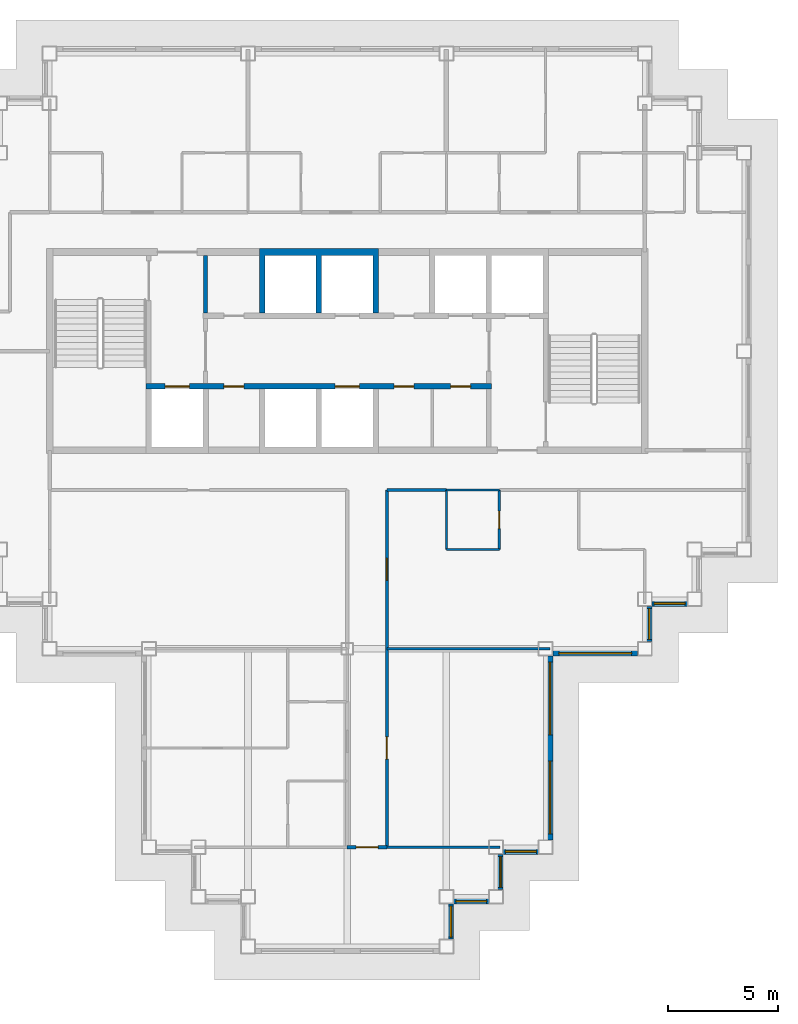
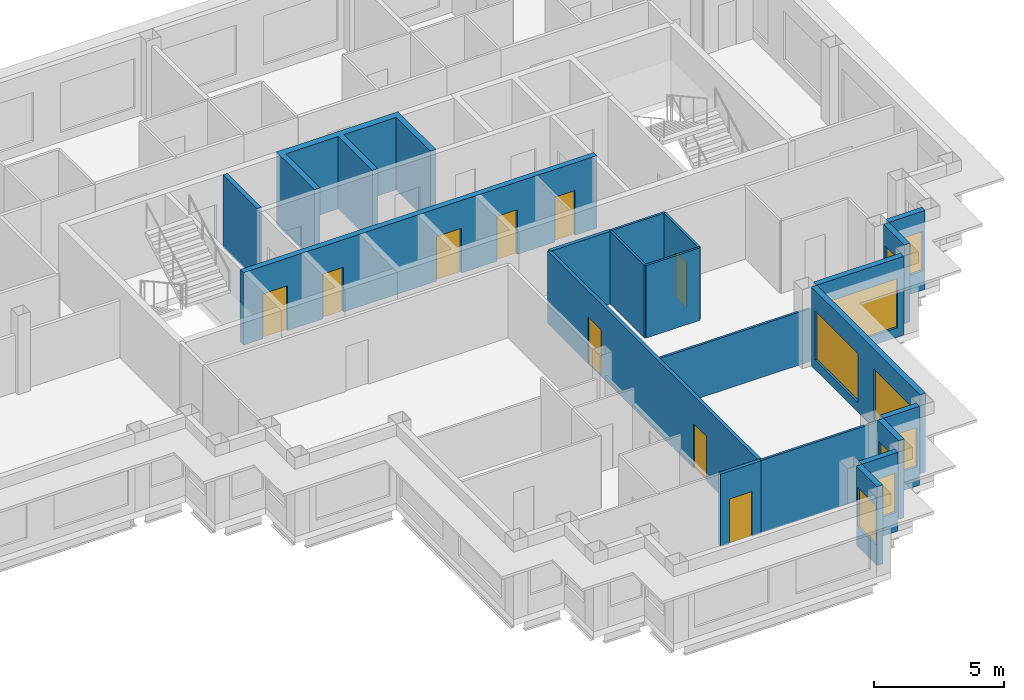
# One storey, part 4 of 11: 20 walls, 9 doors, 9 windows, 18 openings.
"""IFC4 building model written with IfcOpenShell, lengths in metres."""

from ifc_helpers import new_model, si_unit, direction, frame, frame_2d, origin, place, context, subcontext, project, spatial, polyline, rectangle, outline, extrude, material, layer, layer_set, type_object, element, fill, save


model = new_model("IFC4")

# Units and contexts
model_context = context("Model", 3, precision=1e-05, world=origin(), true_north=direction((0.0, 1.0)))
body_context = subcontext(model_context, "Body", "Model", "MODEL_VIEW")
ifc_project = project(units=[si_unit("LENGTHUNIT", "METRE"), si_unit("AREAUNIT", "SQUARE_METRE"), si_unit("VOLUMEUNIT", "CUBIC_METRE"), si_unit("PLANEANGLEUNIT", "RADIAN"), si_unit("MASSUNIT", "GRAM", prefix="KILO")], contexts=[model_context])

# Site, building, storey
site_placement = place(None, origin())
site = spatial("IfcSite", under=ifc_project, at=site_placement, CompositionType="ELEMENT")
building_placement = place(site_placement, origin())
building = spatial("IfcBuilding", under=site, at=building_placement, Name="Caravel Reach Hotel and Residences", CompositionType="ELEMENT")
storey_placement = place(building_placement, frame((0.0, 0.0, 225.699951171875)))
storey = spatial("IfcBuildingStorey", under=building, at=storey_placement, Name="L57", CompositionType="ELEMENT", Elevation=225.699951171875)

# Walls
ifc_material_1 = material(Name="Gypsum board on steel stud", Category="steel")
ifc_layer_1 = layer(ifc_material_1, 0.10009765625)
ifc_layer_set_1 = layer_set([ifc_layer_1], Name="Bathroom pod wall 100 mm")
wall_type_1 = type_object("IfcWallType", Name="Bathroom pod wall 100 mm", PredefinedType="PARTITIONING", material=ifc_layer_set_1)
for number, where, z_axis, x_axis, name in (
    (1, (36.0, 18.0, 0.0), (0.0, 0.0, 1.0), (1.0, 0.0, 0.0), "L57 wall w064"),
    (2, (36.0, 20.699951171875, 0.0), (0.0, 0.0, 1.0), (1.0, 0.0, 0.0), "L57 wall w065"),
):
    element("IfcWall", number, at=place(storey_placement, frame(where, z_axis=z_axis, x_axis=x_axis)), inside=storey, type_object=wall_type_1, Name=name, PredefinedType="PARTITIONING", context=body_context, shape_type="SweptSolid", body=[
        extrude(rectangle(XDim=2.39990234375, YDim=0.10009765625, at=frame_2d((1.199951171875, 0.0))), origin(), (0.0, 0.0, 1.0), 3.400146484375),
    ])
wall_1_placement = place(storey_placement, frame((36.0, 18.0, 0.0), z_axis=(0.0, 0.0, 1.0), x_axis=(0.0, 1.0, 0.0)))
element("IfcWall", 3, at=wall_1_placement, inside=storey, type_object=wall_type_1, Name="L57 wall w080", PredefinedType="PARTITIONING", context=body_context, shape_type="SweptSolid", body=[
    extrude(rectangle(XDim=2.698974609375, YDim=0.10009765625, at=frame_2d((1.349609375, 0.0))), origin(), (0.0, 0.0, 1.0), 3.400146484375),
])

# Wall, opening, door
wall_2_placement = place(storey_placement, frame((38.39990234375, 18.0, 0.0), z_axis=(0.0, 0.0, 1.0), x_axis=(0.0, 1.0, 0.0)))
wall_2 = element("IfcWall", 4, at=wall_2_placement, inside=storey, type_object=wall_type_1, Name="L57 wall w082", PredefinedType="PARTITIONING", context=body_context, shape_type="SweptSolid", body=[
    extrude(rectangle(XDim=2.699951171875, YDim=0.10009765625, at=frame_2d((1.35009765625, 0.0))), origin(), (0.0, 0.0, 1.0), 3.400146484375),
])
opening_1_placement = place(wall_2_placement, frame((0.949951171875, 0.0, 0.0)))
opening_1 = element("IfcOpeningElement", 5, at=opening_1_placement, cuts=wall_2, Name="Opening D57-031", PredefinedType="OPENING", context=body_context, shape_type="SweptSolid", body=[
    extrude(rectangle(XDim=0.800048828125, YDim=2.10009765625, at=frame_2d((0.39990234375, 1.050048828125))), frame((0.0, 0.06005859375, 0.0), z_axis=(0.0, -1.0, 0.0), x_axis=(1.0, 0.0, 0.0)), (0.0, 0.0, 1.0), 0.1201171875),
])
ifc_material_2 = material(Name="Timber and steel door leaf", Category="steel")
door_type_1 = type_object("IfcDoorType", Name="Bathroom door 800 x 2100", OperationType="SINGLE_SWING_LEFT", PredefinedType="DOOR", material=ifc_material_2)
door_1_placement = place(opening_1_placement, origin())
door_1 = element("IfcDoor", 6, at=door_1_placement, inside=storey, type_object=door_type_1, Name="door D57-031", OperationType="SINGLE_SWING_LEFT", OverallHeight=2.10009765625, OverallWidth=0.800048828125, PredefinedType="DOOR", context=body_context, shape_type="SweptSolid", body=[
    extrude(rectangle(XDim=0.800048828125, YDim=2.10009765625, at=frame_2d((0.39990234375, 1.050048828125))), frame((0.0, 0.02490234375, 0.0), z_axis=(0.0, -1.0, 0.0), x_axis=(1.0, 0.0, 0.0)), (0.0, 0.0, 1.0), 0.050048828125),
])
fill(opening_1, door_1)

# Walls
ifc_material_3 = material(Name="Autoclaved aerated block wall")
ifc_layer_2 = layer(ifc_material_3, 0.199951171875)
ifc_layer_set_2 = layer_set([ifc_layer_2], Name="Compartment wall 200 mm EI 120")
wall_type_2 = type_object("IfcWallType", Name="Compartment wall 200 mm EI 120", PredefinedType="PARTITIONING", material=ifc_layer_set_2)
wall_3_placement = place(storey_placement, frame((25.071533203125, 28.72509765625, 0.0), z_axis=(0.0, 0.0, 1.0), x_axis=(0.0, 1.0, 0.0)))
element("IfcWall", 7, at=wall_3_placement, inside=storey, type_object=wall_type_2, Name="L57 store partition", PredefinedType="PARTITIONING", context=body_context, shape_type="SweptSolid", body=[
    extrude(rectangle(XDim=2.625, YDim=0.199951171875, at=frame_2d((1.3125, 0.0))), origin(), (0.0, 0.0, 1.0), 3.400146484375),
])
ifc_material_4 = material(Name="Gypsum board on steel stud, fire-rated", Category="steel")
ifc_layer_3 = layer(ifc_material_4, 0.14990234375)
ifc_layer_set_3 = layer_set([ifc_layer_3], Name="Corridor wall 150 mm EI 60")
wall_type_3 = type_object("IfcWallType", Name="Corridor wall 150 mm EI 60", PredefinedType="PARTITIONING", material=ifc_layer_set_3)
wall_4_placement = place(storey_placement, frame((33.301025390625, 20.699951171875, 0.0), z_axis=(0.0, 0.0, 1.0), x_axis=(1.0, 0.0, 0.0)))
element("IfcWall", 8, at=wall_4_placement, inside=storey, type_object=wall_type_3, Name="L57 wall w001", PredefinedType="PARTITIONING", context=body_context, shape_type="SweptSolid", body=[
    extrude(rectangle(XDim=2.697998046875, YDim=0.14990234375, at=frame_2d((1.34912109375, 0.0))), origin(), (0.0, 0.0, 1.0), 3.400146484375),
])

# Wall, opening, door
wall_5_placement = place(storey_placement, frame((31.5, 4.5, 0.0), z_axis=(0.0, 0.0, 1.0), x_axis=(1.0, 0.0, 0.0)))
wall_5 = element("IfcWall", 9, at=wall_5_placement, inside=storey, type_object=wall_type_3, Name="L57 wall w017", PredefinedType="PARTITIONING", context=body_context, shape_type="SweptSolid", body=[
    extrude(rectangle(XDim=1.800048828125, YDim=0.14990234375, at=frame_2d((0.89990234375, 0.0))), origin(), (0.0, 0.0, 1.0), 3.400146484375),
])
opening_2_placement = place(wall_5_placement, frame((0.39990234375, 0.0, 0.0)))
opening_2 = element("IfcOpeningElement", 10, at=opening_2_placement, cuts=wall_5, Name="Opening D57-042", PredefinedType="OPENING", context=body_context, shape_type="SweptSolid", body=[
    extrude(rectangle(XDim=1.0, YDim=2.10009765625, at=frame_2d((0.5, 1.050048828125))), frame((0.0, 0.0849609375, 0.0), z_axis=(0.0, -1.0, 0.0), x_axis=(1.0, 0.0, 0.0)), (0.0, 0.0, 1.0), 0.169921875),
])
ifc_material_5 = material(Name="Steel fire door leaf", Category="steel")
door_type_2 = type_object("IfcDoorType", Name="Fire door 1000 x 2100 EI 60", OperationType="SINGLE_SWING_LEFT", PredefinedType="DOOR", material=ifc_material_5)
door_2_placement = place(opening_2_placement, origin())
door_2 = element("IfcDoor", 11, at=door_2_placement, inside=storey, type_object=door_type_2, Name="door D57-042", OperationType="SINGLE_SWING_LEFT", OverallHeight=2.10009765625, OverallWidth=1.0, PredefinedType="DOOR", context=body_context, shape_type="SweptSolid", body=[
    extrude(rectangle(XDim=1.0, YDim=2.10009765625, at=frame_2d((0.5, 1.050048828125))), frame((0.0, 0.02490234375, 0.0), z_axis=(0.0, -1.0, 0.0), x_axis=(1.0, 0.0, 0.0)), (0.0, 0.0, 1.0), 0.050048828125),
])
fill(opening_2, door_2)

# Wall, openings, doors
wall_6_placement = place(storey_placement, frame((33.300048828125, 4.5, 0.0), z_axis=(0.0, 0.0, 1.0), x_axis=(0.0, 1.0, 0.0)))
wall_6 = element("IfcWall", 12, at=wall_6_placement, inside=storey, type_object=wall_type_3, Name="L57 wall w023", PredefinedType="PARTITIONING", context=body_context, shape_type="SweptSolid", body=[
    extrude(rectangle(XDim=16.198974609375, YDim=0.14990234375, at=frame_2d((8.099609375, 0.0))), origin(), (0.0, 0.0, 1.0), 3.400146484375),
])
opening_3_placement = place(wall_6_placement, frame((12.09912109375, 0.0, 0.0)))
opening_3 = element("IfcOpeningElement", 13, at=opening_3_placement, cuts=wall_6, Name="Opening D57-030", PredefinedType="OPENING", context=body_context, shape_type="SweptSolid", body=[
    extrude(rectangle(XDim=1.0, YDim=2.199951171875, at=frame_2d((0.5, 1.10009765625))), frame((0.0, 0.0849609375, 0.0), z_axis=(0.0, -1.0, 0.0), x_axis=(1.0, 0.0, 0.0)), (0.0, 0.0, 1.0), 0.169921875),
])
opening_4_placement = place(wall_6_placement, frame((4.0, 0.0, 0.0)))
opening_4 = element("IfcOpeningElement", 14, at=opening_4_placement, cuts=wall_6, Name="Opening D57-037", PredefinedType="OPENING", context=body_context, shape_type="SweptSolid", body=[
    extrude(rectangle(XDim=1.0, YDim=2.10009765625, at=frame_2d((0.5, 1.050048828125))), frame((0.0, 0.0849609375, 0.0), z_axis=(0.0, -1.0, 0.0), x_axis=(1.0, 0.0, 0.0)), (0.0, 0.0, 1.0), 0.169921875),
])
door_3_placement = place(opening_4_placement, origin())
door_3 = element("IfcDoor", 15, at=door_3_placement, inside=storey, type_object=door_type_2, Name="door D57-037", OperationType="SINGLE_SWING_RIGHT", OverallHeight=2.10009765625, OverallWidth=1.0, PredefinedType="DOOR", context=body_context, shape_type="SweptSolid", body=[
    extrude(rectangle(XDim=1.0, YDim=2.10009765625, at=frame_2d((0.5, 1.050048828125))), frame((0.0, 0.02490234375, 0.0), z_axis=(0.0, -1.0, 0.0), x_axis=(1.0, 0.0, 0.0)), (0.0, 0.0, 1.0), 0.050048828125),
])
fill(opening_4, door_3)
ifc_material_6 = material(Name="Steel fire door leaf", Category="steel")
door_type_3 = type_object("IfcDoorType", Name="Flat entrance door 1000 x 2200 EI 60", OperationType="SINGLE_SWING_LEFT", PredefinedType="DOOR", material=ifc_material_6)
door_4_placement = place(opening_3_placement, origin())
door_4 = element("IfcDoor", 16, at=door_4_placement, inside=storey, type_object=door_type_3, Name="door D57-030", OperationType="SINGLE_SWING_RIGHT", OverallHeight=2.199951171875, OverallWidth=1.0, PredefinedType="DOOR", context=body_context, shape_type="SweptSolid", body=[
    extrude(rectangle(XDim=1.0, YDim=2.199951171875, at=frame_2d((0.5, 1.10009765625))), frame((0.0, 0.02490234375, 0.0), z_axis=(0.0, -1.0, 0.0), x_axis=(1.0, 0.0, 0.0)), (0.0, 0.0, 1.0), 0.050048828125),
])
fill(opening_3, door_4)

# Wall, opening, window
ifc_material_7 = material(Name="Insulated rainscreen wall, aluminium cladding", Category="aluminium")
ifc_layer_4 = layer(ifc_material_7, 0.25)
ifc_layer_set_4 = layer_set([ifc_layer_4], Name="EW1 Tower rainscreen wall")
wall_type_4 = type_object("IfcWallType", Name="EW1 Tower rainscreen wall", PredefinedType="SOLIDWALL", material=ifc_layer_set_4)
wall_7_placement = place(storey_placement, frame((40.824951171875, 13.300048828125, 0.0), z_axis=(0.0, 0.0, 1.0), x_axis=(1.0, 0.0, 0.0)))
wall_7 = element("IfcWall", 17, at=wall_7_placement, inside=storey, type_object=wall_type_4, Name="External wall L57 S1.1", PredefinedType="SOLIDWALL", context=body_context, shape_type="SweptSolid", body=[
    extrude(rectangle(XDim=3.85009765625, YDim=0.25, at=frame_2d((1.925048828125, 0.0))), origin(), (0.0, 0.0, 1.0), 3.699951171875),
])
opening_5_placement = place(wall_7_placement, frame((0.27490234375, 0.0, 0.449951171875)))
opening_5 = element("IfcOpeningElement", 18, at=opening_5_placement, cuts=wall_7, Name="Opening WN15", PredefinedType="OPENING", context=body_context, shape_type="SweptSolid", body=[
    extrude(rectangle(XDim=3.300048828125, YDim=2.300048828125, at=frame_2d((1.64990234375, 1.14990234375))), frame((0.0, 0.135009765625, 0.0), z_axis=(0.0, -1.0, 0.0), x_axis=(1.0, 0.0, 0.0)), (0.0, 0.0, 1.0), 0.27001953125),
])
ifc_material_8 = material(Name="Dark low-e glazing in black aluminium frame", Category="aluminium")
window_type_1 = type_object("IfcWindowType", Name="Residence living window 3300 x 2300", PartitioningType="SINGLE_PANEL", PredefinedType="WINDOW", material=ifc_material_8)
window_1_placement = place(opening_5_placement, origin())
window_1 = element("IfcWindow", 19, at=window_1_placement, inside=storey, type_object=window_type_1, Name="Window L57 S1.1.1", OverallHeight=2.300048828125, OverallWidth=3.300048828125, PartitioningType="SINGLE_PANEL", PredefinedType="WINDOW", context=body_context, shape_type="SweptSolid", body=[
    extrude(rectangle(XDim=3.300048828125, YDim=2.300048828125, at=frame_2d((1.64990234375, 1.14990234375))), frame((0.0, 0.030029296875, 0.0), z_axis=(0.0, -1.0, 0.0), x_axis=(1.0, 0.0, 0.0)), (0.0, 0.0, 1.0), 0.06005859375),
])
fill(opening_5, window_1)

wall_8_placement = place(storey_placement, frame((45.199951171875, 13.824951171875, 0.0), z_axis=(0.0, 0.0, 1.0), x_axis=(0.0, 1.0, 0.0)))
wall_8 = element("IfcWall", 20, at=wall_8_placement, inside=storey, type_object=wall_type_4, Name="External wall L57 E2.1", PredefinedType="SOLIDWALL", context=body_context, shape_type="SweptSolid", body=[
    extrude(rectangle(XDim=1.60009765625, YDim=0.25, at=frame_2d((0.800048828125, 0.0))), origin(), (0.0, 0.0, 1.0), 3.699951171875),
])
opening_6_placement = place(wall_8_placement, frame((0.10009765625, 0.0, 0.89990234375)))
opening_6 = element("IfcOpeningElement", 21, at=opening_6_placement, cuts=wall_8, Name="Opening WN22", PredefinedType="OPENING", context=body_context, shape_type="SweptSolid", body=[
    extrude(rectangle(XDim=1.39990234375, YDim=1.85009765625, at=frame_2d((0.699951171875, 0.925048828125))), frame((0.0, 0.135009765625, 0.0), z_axis=(0.0, -1.0, 0.0), x_axis=(1.0, 0.0, 0.0)), (0.0, 0.0, 1.0), 0.27001953125),
])
ifc_material_9 = material(Name="Dark low-e glazing in black aluminium frame", Category="aluminium")
window_type_2 = type_object("IfcWindowType", Name="Residence bedroom window 1400 x 1850", PartitioningType="SINGLE_PANEL", PredefinedType="WINDOW", material=ifc_material_9)
window_2_placement = place(opening_6_placement, origin())
window_2 = element("IfcWindow", 22, at=window_2_placement, inside=storey, type_object=window_type_2, Name="Window L57 E2.1.1", OverallHeight=1.85009765625, OverallWidth=1.39990234375, PartitioningType="SINGLE_PANEL", PredefinedType="WINDOW", context=body_context, shape_type="SweptSolid", body=[
    extrude(rectangle(XDim=1.39990234375, YDim=1.85009765625, at=frame_2d((0.699951171875, 0.925048828125))), frame((0.0, 0.030029296875, 0.0), z_axis=(0.0, -1.0, 0.0), x_axis=(1.0, 0.0, 0.0)), (0.0, 0.0, 1.0), 0.06005859375),
])
fill(opening_6, window_2)

wall_9_placement = place(storey_placement, frame((45.324951171875, 15.550048828125, 0.0), z_axis=(0.0, 0.0, 1.0), x_axis=(1.0, 0.0, 0.0)))
wall_9 = element("IfcWall", 23, at=wall_9_placement, inside=storey, type_object=wall_type_4, Name="External wall L57 S3.1", PredefinedType="SOLIDWALL", context=body_context, shape_type="SweptSolid", body=[
    extrude(rectangle(XDim=1.60009765625, YDim=0.25, at=frame_2d((0.800048828125, 0.0))), origin(), (0.0, 0.0, 1.0), 3.699951171875),
])
opening_7_placement = place(wall_9_placement, frame((0.10009765625, 0.0, 0.89990234375)))
opening_7 = element("IfcOpeningElement", 24, at=opening_7_placement, cuts=wall_9, Name="Opening WN22", PredefinedType="OPENING", context=body_context, shape_type="SweptSolid", body=[
    extrude(rectangle(XDim=1.39990234375, YDim=1.85009765625, at=frame_2d((0.699951171875, 0.925048828125))), frame((0.0, 0.135009765625, 0.0), z_axis=(0.0, -1.0, 0.0), x_axis=(1.0, 0.0, 0.0)), (0.0, 0.0, 1.0), 0.27001953125),
])
window_3_placement = place(opening_7_placement, origin())
window_3 = element("IfcWindow", 25, at=window_3_placement, inside=storey, type_object=window_type_2, Name="Window L57 S3.1.1", OverallHeight=1.85009765625, OverallWidth=1.39990234375, PartitioningType="SINGLE_PANEL", PredefinedType="WINDOW", context=body_context, shape_type="SweptSolid", body=[
    extrude(rectangle(XDim=1.39990234375, YDim=1.85009765625, at=frame_2d((0.699951171875, 0.925048828125))), frame((0.0, 0.030029296875, 0.0), z_axis=(0.0, -1.0, 0.0), x_axis=(1.0, 0.0, 0.0)), (0.0, 0.0, 1.0), 0.06005859375),
])
fill(opening_7, window_3)

wall_10_placement = place(storey_placement, frame((36.199951171875, 0.324951171875, 0.0), z_axis=(0.0, 0.0, 1.0), x_axis=(0.0, 1.0, 0.0)))
wall_10 = element("IfcWall", 26, at=wall_10_placement, inside=storey, type_object=wall_type_4, Name="External wall L57 E36.1", PredefinedType="SOLIDWALL", context=body_context, shape_type="SweptSolid", body=[
    extrude(rectangle(XDim=1.60009765625, YDim=0.25, at=frame_2d((0.800048828125, 0.0))), origin(), (0.0, 0.0, 1.0), 3.699951171875),
])
opening_8_placement = place(wall_10_placement, frame((0.10009765625, 0.0, 0.89990234375)))
opening_8 = element("IfcOpeningElement", 27, at=opening_8_placement, cuts=wall_10, Name="Opening WN22", PredefinedType="OPENING", context=body_context, shape_type="SweptSolid", body=[
    extrude(rectangle(XDim=1.39990234375, YDim=1.85009765625, at=frame_2d((0.699951171875, 0.925048828125))), frame((0.0, 0.135009765625, 0.0), z_axis=(0.0, -1.0, 0.0), x_axis=(1.0, 0.0, 0.0)), (0.0, 0.0, 1.0), 0.27001953125),
])
window_4_placement = place(opening_8_placement, origin())
window_4 = element("IfcWindow", 28, at=window_4_placement, inside=storey, type_object=window_type_2, Name="Window L57 E36.1.1", OverallHeight=1.85009765625, OverallWidth=1.39990234375, PartitioningType="SINGLE_PANEL", PredefinedType="WINDOW", context=body_context, shape_type="SweptSolid", body=[
    extrude(rectangle(XDim=1.39990234375, YDim=1.85009765625, at=frame_2d((0.699951171875, 0.925048828125))), frame((0.0, 0.030029296875, 0.0), z_axis=(0.0, -1.0, 0.0), x_axis=(1.0, 0.0, 0.0)), (0.0, 0.0, 1.0), 0.06005859375),
])
fill(opening_8, window_4)

wall_11_placement = place(storey_placement, frame((36.324951171875, 2.050048828125, 0.0), z_axis=(0.0, 0.0, 1.0), x_axis=(1.0, 0.0, 0.0)))
wall_11 = element("IfcWall", 29, at=wall_11_placement, inside=storey, type_object=wall_type_4, Name="External wall L57 S37.1", PredefinedType="SOLIDWALL", context=body_context, shape_type="SweptSolid", body=[
    extrude(rectangle(XDim=1.60009765625, YDim=0.25, at=frame_2d((0.800048828125, 0.0))), origin(), (0.0, 0.0, 1.0), 3.699951171875),
])
opening_9_placement = place(wall_11_placement, frame((0.10009765625, 0.0, 0.89990234375)))
opening_9 = element("IfcOpeningElement", 30, at=opening_9_placement, cuts=wall_11, Name="Opening WN22", PredefinedType="OPENING", context=body_context, shape_type="SweptSolid", body=[
    extrude(rectangle(XDim=1.39990234375, YDim=1.85009765625, at=frame_2d((0.699951171875, 0.925048828125))), frame((0.0, 0.135009765625, 0.0), z_axis=(0.0, -1.0, 0.0), x_axis=(1.0, 0.0, 0.0)), (0.0, 0.0, 1.0), 0.27001953125),
])
window_5_placement = place(opening_9_placement, origin())
window_5 = element("IfcWindow", 31, at=window_5_placement, inside=storey, type_object=window_type_2, Name="Window L57 S37.1.1", OverallHeight=1.85009765625, OverallWidth=1.39990234375, PartitioningType="SINGLE_PANEL", PredefinedType="WINDOW", context=body_context, shape_type="SweptSolid", body=[
    extrude(rectangle(XDim=1.39990234375, YDim=1.85009765625, at=frame_2d((0.699951171875, 0.925048828125))), frame((0.0, 0.030029296875, 0.0), z_axis=(0.0, -1.0, 0.0), x_axis=(1.0, 0.0, 0.0)), (0.0, 0.0, 1.0), 0.06005859375),
])
fill(opening_9, window_5)

wall_12_placement = place(storey_placement, frame((38.449951171875, 2.574951171875, 0.0), z_axis=(0.0, 0.0, 1.0), x_axis=(0.0, 1.0, 0.0)))
wall_12 = element("IfcWall", 32, at=wall_12_placement, inside=storey, type_object=wall_type_4, Name="External wall L57 E38.1", PredefinedType="SOLIDWALL", context=body_context, shape_type="SweptSolid", body=[
    extrude(rectangle(XDim=1.60009765625, YDim=0.25, at=frame_2d((0.800048828125, 0.0))), origin(), (0.0, 0.0, 1.0), 3.699951171875),
])
opening_10_placement = place(wall_12_placement, frame((0.10009765625, 0.0, 0.89990234375)))
opening_10 = element("IfcOpeningElement", 33, at=opening_10_placement, cuts=wall_12, Name="Opening WN22", PredefinedType="OPENING", context=body_context, shape_type="SweptSolid", body=[
    extrude(rectangle(XDim=1.39990234375, YDim=1.85009765625, at=frame_2d((0.699951171875, 0.925048828125))), frame((0.0, 0.135009765625, 0.0), z_axis=(0.0, -1.0, 0.0), x_axis=(1.0, 0.0, 0.0)), (0.0, 0.0, 1.0), 0.27001953125),
])
window_6_placement = place(opening_10_placement, origin())
window_6 = element("IfcWindow", 34, at=window_6_placement, inside=storey, type_object=window_type_2, Name="Window L57 E38.1.1", OverallHeight=1.85009765625, OverallWidth=1.39990234375, PartitioningType="SINGLE_PANEL", PredefinedType="WINDOW", context=body_context, shape_type="SweptSolid", body=[
    extrude(rectangle(XDim=1.39990234375, YDim=1.85009765625, at=frame_2d((0.699951171875, 0.925048828125))), frame((0.0, 0.030029296875, 0.0), z_axis=(0.0, -1.0, 0.0), x_axis=(1.0, 0.0, 0.0)), (0.0, 0.0, 1.0), 0.06005859375),
])
fill(opening_10, window_6)

wall_13_placement = place(storey_placement, frame((38.574951171875, 4.300048828125, 0.0), z_axis=(0.0, 0.0, 1.0), x_axis=(1.0, 0.0, 0.0)))
wall_13 = element("IfcWall", 35, at=wall_13_placement, inside=storey, type_object=wall_type_4, Name="External wall L57 S39.1", PredefinedType="SOLIDWALL", context=body_context, shape_type="SweptSolid", body=[
    extrude(rectangle(XDim=1.60009765625, YDim=0.25, at=frame_2d((0.800048828125, 0.0))), origin(), (0.0, 0.0, 1.0), 3.699951171875),
])
opening_11_placement = place(wall_13_placement, frame((0.10009765625, 0.0, 0.89990234375)))
opening_11 = element("IfcOpeningElement", 36, at=opening_11_placement, cuts=wall_13, Name="Opening WN22", PredefinedType="OPENING", context=body_context, shape_type="SweptSolid", body=[
    extrude(rectangle(XDim=1.39990234375, YDim=1.85009765625, at=frame_2d((0.699951171875, 0.925048828125))), frame((0.0, 0.135009765625, 0.0), z_axis=(0.0, -1.0, 0.0), x_axis=(1.0, 0.0, 0.0)), (0.0, 0.0, 1.0), 0.27001953125),
])
window_7_placement = place(opening_11_placement, origin())
window_7 = element("IfcWindow", 37, at=window_7_placement, inside=storey, type_object=window_type_2, Name="Window L57 S39.1.1", OverallHeight=1.85009765625, OverallWidth=1.39990234375, PartitioningType="SINGLE_PANEL", PredefinedType="WINDOW", context=body_context, shape_type="SweptSolid", body=[
    extrude(rectangle(XDim=1.39990234375, YDim=1.85009765625, at=frame_2d((0.699951171875, 0.925048828125))), frame((0.0, 0.030029296875, 0.0), z_axis=(0.0, -1.0, 0.0), x_axis=(1.0, 0.0, 0.0)), (0.0, 0.0, 1.0), 0.06005859375),
])
fill(opening_11, window_7)

# Wall, openings, windows
wall_14_placement = place(storey_placement, frame((40.699951171875, 4.824951171875, 0.0), z_axis=(0.0, 0.0, 1.0), x_axis=(0.0, 1.0, 0.0)))
wall_14 = element("IfcWall", 38, at=wall_14_placement, inside=storey, type_object=wall_type_4, Name="External wall L57 E40.1", PredefinedType="SOLIDWALL", context=body_context, shape_type="SweptSolid", body=[
    extrude(rectangle(XDim=8.35009765625, YDim=0.25, at=frame_2d((4.175048828125, 0.0))), origin(), (0.0, 0.0, 1.0), 3.699951171875),
])
opening_12_placement = place(wall_14_placement, frame((0.27490234375, 0.0, 0.449951171875)))
opening_12 = element("IfcOpeningElement", 39, at=opening_12_placement, cuts=wall_14, Name="Opening WN15", PredefinedType="OPENING", context=body_context, shape_type="SweptSolid", body=[
    extrude(rectangle(XDim=3.300048828125, YDim=2.300048828125, at=frame_2d((1.64990234375, 1.14990234375))), frame((0.0, 0.135009765625, 0.0), z_axis=(0.0, -1.0, 0.0), x_axis=(1.0, 0.0, 0.0)), (0.0, 0.0, 1.0), 0.27001953125),
])
opening_13_placement = place(wall_14_placement, frame((4.77490234375, 0.0, 0.449951171875)))
opening_13 = element("IfcOpeningElement", 40, at=opening_13_placement, cuts=wall_14, Name="Opening WN15", PredefinedType="OPENING", context=body_context, shape_type="SweptSolid", body=[
    extrude(rectangle(XDim=3.300048828125, YDim=2.300048828125, at=frame_2d((1.64990234375, 1.14990234375))), frame((0.0, 0.135009765625, 0.0), z_axis=(0.0, -1.0, 0.0), x_axis=(1.0, 0.0, 0.0)), (0.0, 0.0, 1.0), 0.27001953125),
])
window_8_placement = place(opening_12_placement, origin())
window_8 = element("IfcWindow", 41, at=window_8_placement, inside=storey, type_object=window_type_1, Name="Window L57 E40.1.1", OverallHeight=2.300048828125, OverallWidth=3.300048828125, PartitioningType="SINGLE_PANEL", PredefinedType="WINDOW", context=body_context, shape_type="SweptSolid", body=[
    extrude(rectangle(XDim=3.300048828125, YDim=2.300048828125, at=frame_2d((1.64990234375, 1.14990234375))), frame((0.0, 0.030029296875, 0.0), z_axis=(0.0, -1.0, 0.0), x_axis=(1.0, 0.0, 0.0)), (0.0, 0.0, 1.0), 0.06005859375),
])
fill(opening_12, window_8)
window_9_placement = place(opening_13_placement, origin())
window_9 = element("IfcWindow", 42, at=window_9_placement, inside=storey, type_object=window_type_1, Name="Window L57 E40.1.2", OverallHeight=2.300048828125, OverallWidth=3.300048828125, PartitioningType="SINGLE_PANEL", PredefinedType="WINDOW", context=body_context, shape_type="SweptSolid", body=[
    extrude(rectangle(XDim=3.300048828125, YDim=2.300048828125, at=frame_2d((1.64990234375, 1.14990234375))), frame((0.0, 0.030029296875, 0.0), z_axis=(0.0, -1.0, 0.0), x_axis=(1.0, 0.0, 0.0)), (0.0, 0.0, 1.0), 0.06005859375),
])
fill(opening_13, window_9)

# Walls
ifc_material_10 = material(Name="Gypsum board on steel stud", Category="steel")
ifc_layer_5 = layer(ifc_material_10, 0.10009765625)
ifc_layer_set_5 = layer_set([ifc_layer_5], Name="Partition 100 mm")
wall_type_5 = type_object("IfcWallType", Name="Partition 100 mm", PredefinedType="PARTITIONING", material=ifc_layer_set_5)
wall_15_placement = place(storey_placement, frame((33.301025390625, 13.5, 0.0), z_axis=(0.0, 0.0, 1.0), x_axis=(1.0, 0.0, 0.0)))
element("IfcWall", 43, at=wall_15_placement, inside=storey, type_object=wall_type_5, Name="L57 wall w027", PredefinedType="PARTITIONING", context=body_context, shape_type="SweptSolid", body=[
    extrude(rectangle(XDim=7.388916015625, YDim=0.10009765625, at=frame_2d((3.6943359375, 0.0))), origin(), (0.0, 0.0, 1.0), 2.47998046875),
])
wall_16_placement = place(storey_placement, frame((33.300048828125, 4.5, 0.0), z_axis=(0.0, 0.0, 1.0), x_axis=(1.0, 0.0, 0.0)))
element("IfcWall", 44, at=wall_16_placement, inside=storey, type_object=wall_type_5, Name="L57 wall w038", PredefinedType="PARTITIONING", context=body_context, shape_type="SweptSolid", body=[
    extrude(rectangle(XDim=5.139892578125, YDim=0.10009765625, at=frame_2d((2.56982421875, 0.0))), origin(), (0.0, 0.0, 1.0), 3.400146484375),
])
ifc_material_11 = material(Name="Concrete C60", Category="concrete")
ifc_layer_6 = layer(ifc_material_11, 0.25)
ifc_layer_set_6 = layer_set([ifc_layer_6], Name="Shaft wall 250 mm EI 120")
wall_type_6 = type_object("IfcWallType", Name="Shaft wall 250 mm EI 120", PredefinedType="SHEAR", material=ifc_layer_set_6)
wall_17_placement = place(storey_placement, origin())
element("IfcWall", 45, at=wall_17_placement, inside=storey, type_object=wall_type_6, Name="L57 lift shaft wall N1", PredefinedType="SHEAR", context=body_context, shape_type="SweptSolid", body=[
    extrude(outline(polyline([(27.517822265625, 28.72509765625), (27.767822265625, 28.72509765625), (27.767822265625, 31.35009765625), (30.08935546875, 31.35009765625), (30.08935546875, 28.72509765625), (30.33935546875, 28.72509765625), (30.33935546875, 31.35009765625), (32.66064453125, 31.35009765625), (32.66064453125, 28.72509765625), (32.91064453125, 28.72509765625), (32.91064453125, 31.64990234375), (27.517822265625, 31.64990234375), (27.517822265625, 28.72509765625)])), origin(), (0.0, 0.0, 1.0), 3.400146484375),
])

# Wall, openings, doors
wall_18_placement = place(storey_placement, frame((22.375, 25.39990234375, 0.0), z_axis=(0.0, 0.0, 1.0), x_axis=(1.0, 0.0, 0.0)))
wall_18 = element("IfcWall", 46, at=wall_18_placement, inside=storey, type_object=wall_type_6, Name="L57 lobby wall S1", PredefinedType="SHEAR", context=body_context, shape_type="SweptSolid", body=[
    extrude(rectangle(XDim=15.678466796875, YDim=0.25, at=frame_2d((7.83935546875, 0.0))), origin(), (0.0, 0.0, 1.0), 3.400146484375),
])
opening_14_placement = place(wall_18_placement, frame((8.574951171875, 0.0, 0.0)))
opening_14 = element("IfcOpeningElement", 47, at=opening_14_placement, cuts=wall_18, Name="Opening D57-001", PredefinedType="OPENING", context=body_context, shape_type="SweptSolid", body=[
    extrude(rectangle(XDim=1.10009765625, YDim=2.10009765625, at=frame_2d((0.550048828125, 1.050048828125))), frame((0.0, 0.135009765625, 0.0), z_axis=(0.0, -1.0, 0.0), x_axis=(1.0, 0.0, 0.0)), (0.0, 0.0, 1.0), 0.27001953125),
])
opening_15_placement = place(wall_18_placement, frame((0.860595703125, 0.0, 0.0)))
opening_15 = element("IfcOpeningElement", 48, at=opening_15_placement, cuts=wall_18, Name="Opening D57-004", PredefinedType="OPENING", context=body_context, shape_type="SweptSolid", body=[
    extrude(rectangle(XDim=1.10009765625, YDim=2.10009765625, at=frame_2d((0.550048828125, 1.050048828125))), frame((0.0, 0.135009765625, 0.0), z_axis=(0.0, -1.0, 0.0), x_axis=(1.0, 0.0, 0.0)), (0.0, 0.0, 1.0), 0.27001953125),
])
opening_16_placement = place(wall_18_placement, frame((3.531982421875, 0.0, 0.0)))
opening_16 = element("IfcOpeningElement", 49, at=opening_16_placement, cuts=wall_18, Name="Opening D57-006", PredefinedType="OPENING", context=body_context, shape_type="SweptSolid", body=[
    extrude(rectangle(XDim=0.89990234375, YDim=2.10009765625, at=frame_2d((0.449951171875, 1.050048828125))), frame((0.0, 0.135009765625, 0.0), z_axis=(0.0, -1.0, 0.0), x_axis=(1.0, 0.0, 0.0)), (0.0, 0.0, 1.0), 0.27001953125),
])
opening_17_placement = place(wall_18_placement, frame((11.246337890625, 0.0, 0.0)))
opening_17 = element("IfcOpeningElement", 50, at=opening_17_placement, cuts=wall_18, Name="Opening D57-007", PredefinedType="OPENING", context=body_context, shape_type="SweptSolid", body=[
    extrude(rectangle(XDim=0.89990234375, YDim=2.10009765625, at=frame_2d((0.449951171875, 1.050048828125))), frame((0.0, 0.135009765625, 0.0), z_axis=(0.0, -1.0, 0.0), x_axis=(1.0, 0.0, 0.0)), (0.0, 0.0, 1.0), 0.27001953125),
])
opening_18_placement = place(wall_18_placement, frame((13.81787109375, 0.0, 0.0)))
opening_18 = element("IfcOpeningElement", 51, at=opening_18_placement, cuts=wall_18, Name="Opening D57-008", PredefinedType="OPENING", context=body_context, shape_type="SweptSolid", body=[
    extrude(rectangle(XDim=0.89990234375, YDim=2.10009765625, at=frame_2d((0.449951171875, 1.050048828125))), frame((0.0, 0.135009765625, 0.0), z_axis=(0.0, -1.0, 0.0), x_axis=(1.0, 0.0, 0.0)), (0.0, 0.0, 1.0), 0.27001953125),
])
ifc_material_12 = material(Name="Stainless steel landing door", Category="steel")
door_type_4 = type_object("IfcDoorType", Name="Landing door LD 1100 x 2100 sliding", OperationType="DOUBLE_DOOR_SLIDING", PredefinedType="DOOR", material=ifc_material_12)
door_5_placement = place(opening_14_placement, origin())
door_5 = element("IfcDoor", 52, at=door_5_placement, inside=storey, type_object=door_type_4, Name="MP1 landing door", OperationType="DOUBLE_DOOR_SLIDING", OverallHeight=2.10009765625, OverallWidth=1.10009765625, PredefinedType="DOOR", context=body_context, shape_type="SweptSolid", body=[
    extrude(rectangle(XDim=1.10009765625, YDim=2.10009765625, at=frame_2d((0.550048828125, 1.050048828125))), frame((0.0, 0.02490234375, 0.0), z_axis=(0.0, -1.0, 0.0), x_axis=(1.0, 0.0, 0.0)), (0.0, 0.0, 1.0), 0.050048828125),
])
fill(opening_14, door_5)
door_6_placement = place(opening_15_placement, origin())
door_6 = element("IfcDoor", 53, at=door_6_placement, inside=storey, type_object=door_type_4, Name="FL1 landing door", OperationType="DOUBLE_DOOR_SLIDING", OverallHeight=2.10009765625, OverallWidth=1.10009765625, PredefinedType="DOOR", context=body_context, shape_type="SweptSolid", body=[
    extrude(rectangle(XDim=1.10009765625, YDim=2.10009765625, at=frame_2d((0.550048828125, 1.050048828125))), frame((0.0, 0.02490234375, 0.0), z_axis=(0.0, -1.0, 0.0), x_axis=(1.0, 0.0, 0.0)), (0.0, 0.0, 1.0), 0.050048828125),
])
fill(opening_15, door_6)
ifc_material_13 = material(Name="Steel fire door leaf", Category="steel")
door_type_5 = type_object("IfcDoorType", Name="Riser door 900 x 2100 EI 60", OperationType="SINGLE_SWING_LEFT", PredefinedType="DOOR", material=ifc_material_13)
door_7_placement = place(opening_16_placement, origin())
door_7 = element("IfcDoor", 54, at=door_7_placement, inside=storey, type_object=door_type_5, Name="Linen store door", OperationType="SINGLE_SWING_LEFT", OverallHeight=2.10009765625, OverallWidth=0.89990234375, PredefinedType="DOOR", context=body_context, shape_type="SweptSolid", body=[
    extrude(rectangle(XDim=0.89990234375, YDim=2.10009765625, at=frame_2d((0.449951171875, 1.050048828125))), frame((0.0, 0.02490234375, 0.0), z_axis=(0.0, -1.0, 0.0), x_axis=(1.0, 0.0, 0.0)), (0.0, 0.0, 1.0), 0.050048828125),
])
fill(opening_16, door_7)
door_8_placement = place(opening_17_placement, origin())
door_8 = element("IfcDoor", 55, at=door_8_placement, inside=storey, type_object=door_type_5, Name="Cleaners' room door", OperationType="SINGLE_SWING_LEFT", OverallHeight=2.10009765625, OverallWidth=0.89990234375, PredefinedType="DOOR", context=body_context, shape_type="SweptSolid", body=[
    extrude(rectangle(XDim=0.89990234375, YDim=2.10009765625, at=frame_2d((0.449951171875, 1.050048828125))), frame((0.0, 0.02490234375, 0.0), z_axis=(0.0, -1.0, 0.0), x_axis=(1.0, 0.0, 0.0)), (0.0, 0.0, 1.0), 0.050048828125),
])
fill(opening_17, door_8)
door_9_placement = place(opening_18_placement, origin())
door_9 = element("IfcDoor", 56, at=door_9_placement, inside=storey, type_object=door_type_5, Name="Electrical riser room door", OperationType="SINGLE_SWING_LEFT", OverallHeight=2.10009765625, OverallWidth=0.89990234375, PredefinedType="DOOR", context=body_context, shape_type="SweptSolid", body=[
    extrude(rectangle(XDim=0.89990234375, YDim=2.10009765625, at=frame_2d((0.449951171875, 1.050048828125))), frame((0.0, 0.02490234375, 0.0), z_axis=(0.0, -1.0, 0.0), x_axis=(1.0, 0.0, 0.0)), (0.0, 0.0, 1.0), 0.050048828125),
])
fill(opening_18, door_9)

save(model, "model.ifc")
